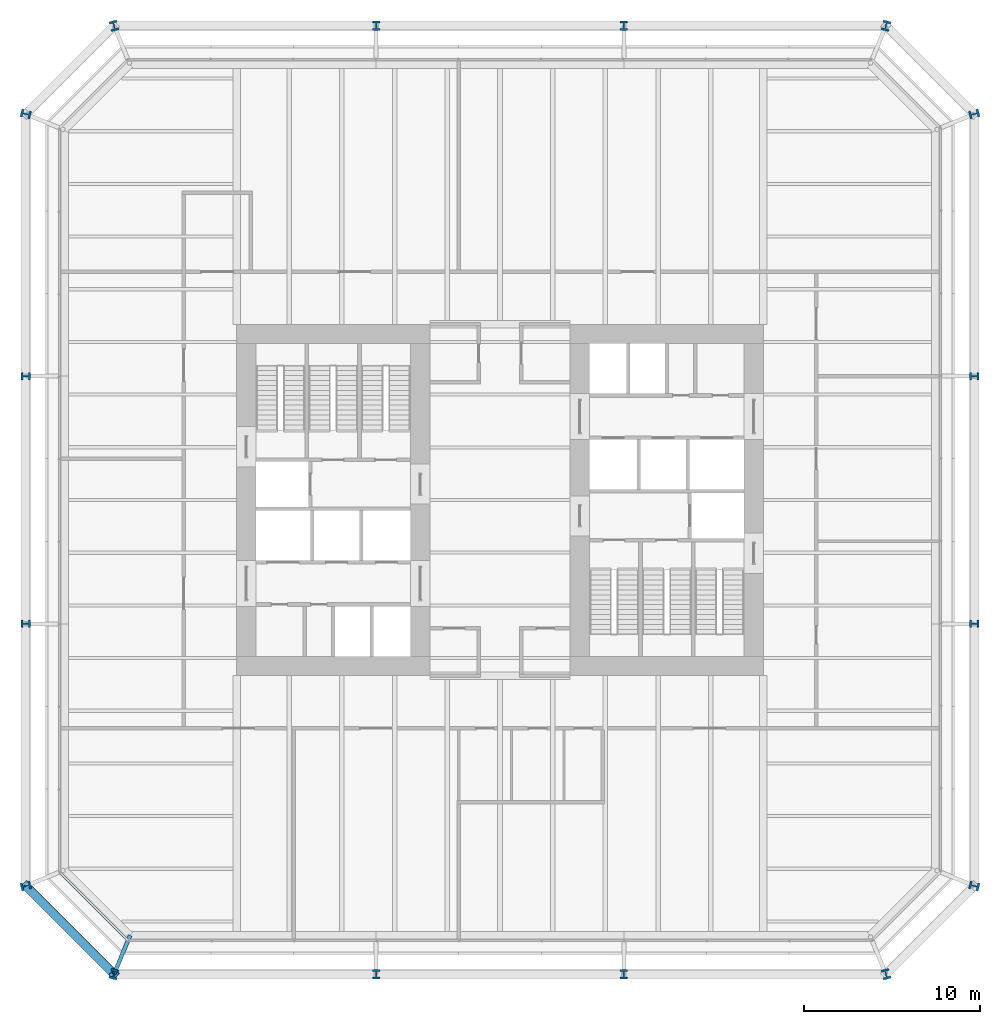
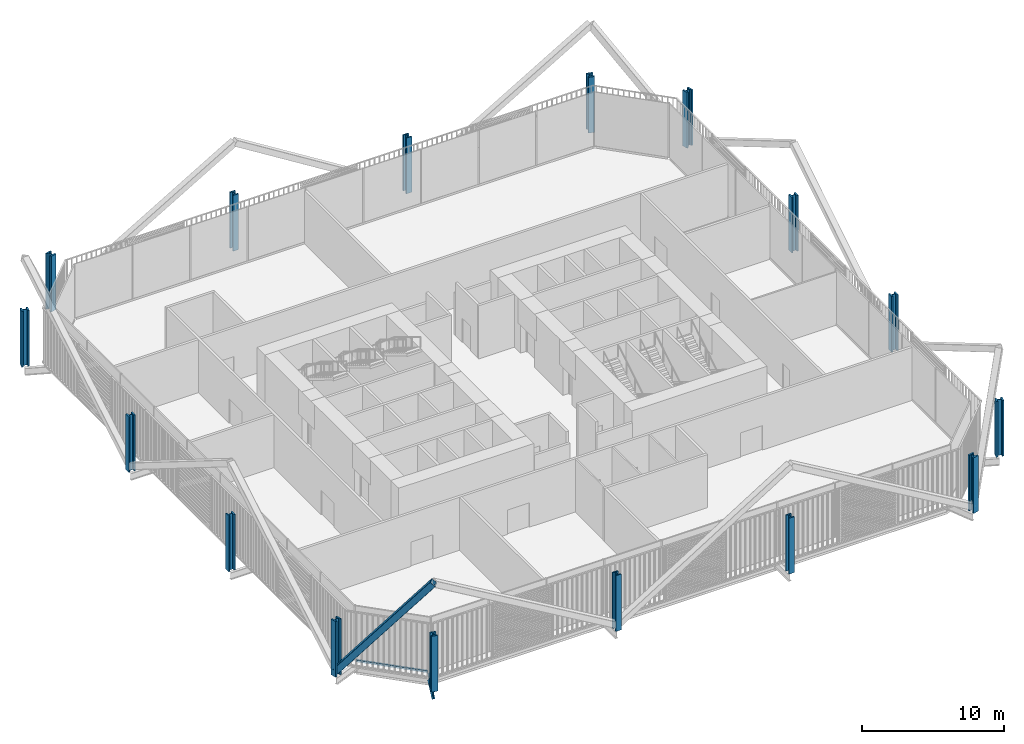
# One storey, part 1 of 22: 16 columns, 2 members, 1 beam, 1 element without a shape of its own.
"""IFC4 building model written with IfcOpenShell, lengths in metres."""

from ifc_helpers import new_model, si_unit, direction, frame, origin, origin_2d, place, context, subcontext, project, spatial, rectangle, hollow_rectangle, i_section, extrude, material, layer, layer_set, material_profile, profile_set, type_object, element, aggregate, save


model = new_model("IFC4")

# Units and contexts
model_context = context("Model", 3, precision=1e-05, world=origin(), true_north=direction((0.0, 1.0)))
body_context = subcontext(model_context, "Body", "Model", "MODEL_VIEW")
ifc_project = project(units=[si_unit("LENGTHUNIT", "METRE"), si_unit("AREAUNIT", "SQUARE_METRE"), si_unit("VOLUMEUNIT", "CUBIC_METRE"), si_unit("PLANEANGLEUNIT", "RADIAN"), si_unit("MASSUNIT", "GRAM", prefix="KILO")], contexts=[model_context])

# Site, building, storey
site_placement = place(None, origin())
site = spatial("IfcSite", under=ifc_project, at=site_placement, CompositionType="ELEMENT")
building_placement = place(site_placement, origin())
building = spatial("IfcBuilding", under=site, at=building_placement, Name="Millrace Tower", CompositionType="ELEMENT")
storey_placement = place(building_placement, frame((0.0, 0.0, 20.89990234375)))
storey = spatial("IfcBuildingStorey", under=building, at=storey_placement, Name="L05", CompositionType="ELEMENT", Elevation=20.89990234375)

# Columns
ifc_material_1 = material(Name="Steel ASTM A913 Grade 65", Category="steel")
ifc_material_profile_1 = material_profile(ifc_material_1, i_section(OverallWidth=0.44189453125, OverallDepth=0.53076171875, WebThickness=0.06591796875, FlangeThickness=0.105712890625, FilletRadius=0.01513671875, at=origin_2d()))
ifc_profile_set_1 = profile_set([ifc_material_profile_1], Name="Steel ASTM A913 Grade 65")
column_type_1 = type_object("IfcColumnType", Name="Exoskeleton column W14x605", PredefinedType="COLUMN", material=ifc_profile_set_1)
for number, where, z_axis, x_axis, name in (
    (1, (-7.050048828125, -27.0, 0.0), (0.0, 0.0, 1.0), (1.0, 0.0, 0.0), "COL-A-L05-X03"),
    (2, (7.050048828125, -27.0, 0.0), (0.0, 0.0, 1.0), (1.0, 0.0, 0.0), "COL-A-L05-X04"),
    (3, (27.0, -7.050048828125, 0.0), (0.0, 0.0, 1.0), (0.0, 1.0, 0.0), "COL-A-L05-X07"),
    (4, (27.0, 7.050048828125, 0.0), (0.0, 0.0, 1.0), (0.0, 1.0, 0.0), "COL-A-L05-X08"),
    (5, (7.050048828125, 27.0, 0.0), (0.0, 0.0, 1.0), (-1.0, 0.0, 0.0), "COL-A-L05-X11"),
    (6, (-7.050048828125, 27.0, 0.0), (0.0, 0.0, 1.0), (-1.0, 0.0, 0.0), "COL-A-L05-X12"),
    (7, (-27.0, 7.050048828125, 0.0), (0.0, 0.0, 1.0), (0.0, -1.0, 0.0), "COL-A-L05-X15"),
    (8, (-27.0, -7.050048828125, 0.0), (0.0, 0.0, 1.0), (0.0, -1.0, 0.0), "COL-A-L05-X16"),
):
    element("IfcColumn", number, at=place(storey_placement, frame(where, z_axis=z_axis, x_axis=x_axis)), inside=storey, type_object=column_type_1, Name=name, PredefinedType="COLUMN", context=body_context, shape_type="SweptSolid", body=[
        extrude(i_section(OverallWidth=0.44189453125, OverallDepth=0.53076171875, WebThickness=0.06591796875, FlangeThickness=0.105712890625, FilletRadius=0.01513671875, at=origin_2d()), origin(), (0.0, 0.0, 1.0), 4.800048828125),
    ])
ifc_material_2 = material(Name="Steel ASTM A913 Grade 65", Category="steel")
ifc_material_profile_2 = material_profile(ifc_material_2, i_section(OverallWidth=0.45458984375, OverallDepth=0.56884765625, WebThickness=0.077880859375, FlangeThickness=0.124755859375, FilletRadius=0.01513671875, at=origin_2d()))
ifc_profile_set_2 = profile_set([ifc_material_profile_2], Name="Steel ASTM A913 Grade 65")
column_type_2 = type_object("IfcColumnType", Name="Exoskeleton column W14x730", PredefinedType="COLUMN", material=ifc_profile_set_2)
for number, where, z_axis, x_axis, name in (
    (9, (-27.0, -21.978515625, 0.0), (0.0, 0.0, 1.0), (0.244094142872, -0.969751540043, 0.0), "COL-A-L05-X01"),
    (10, (-21.978515625, -27.0, 0.0), (0.0, 0.0, 1.0), (0.969751540043, -0.244094142872, 0.0), "COL-A-L05-X02"),
    (11, (21.978515625, -27.0, 0.0), (0.0, 0.0, 1.0), (0.969751540043, 0.244094142872, 0.0), "COL-A-L05-X05"),
    (12, (27.0, -21.978515625, 0.0), (0.0, 0.0, 1.0), (0.244094142872, 0.969751540043, 0.0), "COL-A-L05-X06"),
    (13, (27.0, 21.978515625, 0.0), (0.0, 0.0, 1.0), (-0.244094142872, 0.969751540043, 0.0), "COL-A-L05-X09"),
    (14, (21.978515625, 27.0, 0.0), (0.0, 0.0, 1.0), (-0.969751540043, 0.244094142872, 0.0), "COL-A-L05-X10"),
    (15, (-21.978515625, 27.0, 0.0), (0.0, 0.0, 1.0), (-0.969751540043, -0.244094142872, 0.0), "COL-A-L05-X13"),
    (16, (-27.0, 21.978515625, 0.0), (0.0, 0.0, 1.0), (-0.244094142872, -0.969751540043, 0.0), "COL-A-L05-X14"),
):
    element("IfcColumn", number, at=place(storey_placement, frame(where, z_axis=z_axis, x_axis=x_axis)), inside=storey, type_object=column_type_2, Name=name, PredefinedType="COLUMN", context=body_context, shape_type="SweptSolid", body=[
        extrude(i_section(OverallWidth=0.45458984375, OverallDepth=0.56884765625, WebThickness=0.077880859375, FlangeThickness=0.124755859375, FilletRadius=0.01513671875, at=origin_2d()), origin(), (0.0, 0.0, 1.0), 4.800048828125),
    ])

# Curtain wall, member
ifc_material_3 = material(Name="Aluminium and glass", Category="aluminium")
ifc_layer = layer(ifc_material_3, 0.14990234375)
ifc_layer_set = layer_set([ifc_layer], Name="Aluminium and glass")
curtain_wall_type = type_object("IfcCurtainWallType", Name="CW-2 data hall insulated curtain wall", PredefinedType="NOTDEFINED", material=ifc_layer_set)
curtain_wall_placement = place(storey_placement, origin())
curtain_wall = element("IfcCurtainWall", 17, at=curtain_wall_placement, inside=storey, type_object=curtain_wall_type, Name="Curtain wall A-F01 L05", PredefinedType="NOTDEFINED")
ifc_material_4 = material(Name="Aluminium", Category="aluminium")
ifc_material_profile_3 = material_profile(ifc_material_4, rectangle(XDim=0.14990234375, YDim=0.159912109375, at=origin_2d()))
ifc_profile_set_3 = profile_set([ifc_material_profile_3], Name="Aluminium")
member_type_1 = type_object("IfcMemberType", Name="CW-2 data hall insulated curtain wall transom", PredefinedType="USERDEFINED", material=ifc_profile_set_3)
member_1_placement = place(storey_placement, frame((-24.982421875, -21.273681640625, 0.080078125), z_axis=(0.707106781187, -0.707106781187, 0.0), x_axis=(0.707106781187, 0.707106781187, 0.0)))
member_1 = element("IfcMember", 18, at=member_1_placement, type_object=member_type_1, Name="CW2 transom A-F01.1", ObjectType="TRANSOM", PredefinedType="USERDEFINED", context=body_context, shape_type="SweptSolid", body=[
    extrude(rectangle(XDim=0.14990234375, YDim=0.159912109375, at=origin_2d()), origin(), (0.0, 0.0, 1.0), 5.244873046875),
])
aggregate(curtain_wall, [member_1])

# Member
ifc_material_5 = material(Name="Steel ASTM A500 Grade C", Category="steel")
ifc_material_profile_4 = material_profile(ifc_material_5, hollow_rectangle(XDim=0.508056640625, YDim=0.508056640625, WallThickness=0.022216796875, InnerFilletRadius=0.01123046875, OuterFilletRadius=0.033447265625, at=origin_2d()))
ifc_profile_set_4 = profile_set([ifc_material_profile_4], Name="Steel ASTM A500 Grade C")
member_type_2 = type_object("IfcMemberType", Name="Exoskeleton brace HSS20x20x7/8", PredefinedType="BRACE", material=ifc_profile_set_4)
member_2_placement = place(storey_placement, frame((-27.0, -21.978515625, 0.400146484375), z_axis=(0.444063713793, -0.444063713793, 0.77821259061), x_axis=(0.707106781187, 0.707106781187, 0.0)))
element("IfcMember", 19, at=member_2_placement, inside=storey, type_object=member_type_2, Name="BRC-A-L05-01", PredefinedType="BRACE", context=body_context, shape_type="SweptSolid", body=[
    extrude(hollow_rectangle(XDim=0.508056640625, YDim=0.508056640625, WallThickness=0.022216796875, InnerFilletRadius=0.01123046875, OuterFilletRadius=0.033447265625, at=origin_2d()), origin(), (0.0, 0.0, 1.0), 11.30810546875),
])

# Beam
ifc_material_6 = material(Name="Steel ASTM A992 Grade 50", Category="steel")
ifc_material_profile_5 = material_profile(ifc_material_6, i_section(OverallWidth=0.23046875, OverallDepth=0.6171875, WebThickness=0.01318359375, FlangeThickness=0.022216796875, FilletRadius=0.012939453125, at=origin_2d()))
ifc_profile_set_5 = profile_set([ifc_material_profile_5], Name="Steel ASTM A992 Grade 50")
beam_type = type_object("IfcBeamType", Name="Link beam W24x94", PredefinedType="BEAM", material=ifc_profile_set_5)
beam_placement = place(storey_placement, frame((-21.062744140625, -24.7890625, -0.533447265625), z_axis=(-0.382673155247, -0.923883789366, 0.0), x_axis=(0.923883789366, -0.382673155247, 0.0)))
element("IfcBeam", 20, at=beam_placement, inside=storey, type_object=beam_type, Name="LNK-A-L05-S1-16", PredefinedType="BEAM", context=body_context, shape_type="SweptSolid", body=[
    extrude(i_section(OverallWidth=0.23046875, OverallDepth=0.6171875, WebThickness=0.01318359375, FlangeThickness=0.022216796875, FilletRadius=0.012939453125, at=origin_2d()), origin(), (0.0, 0.0, 1.0), 2.39306640625),
])

save(model, "model.ifc")
